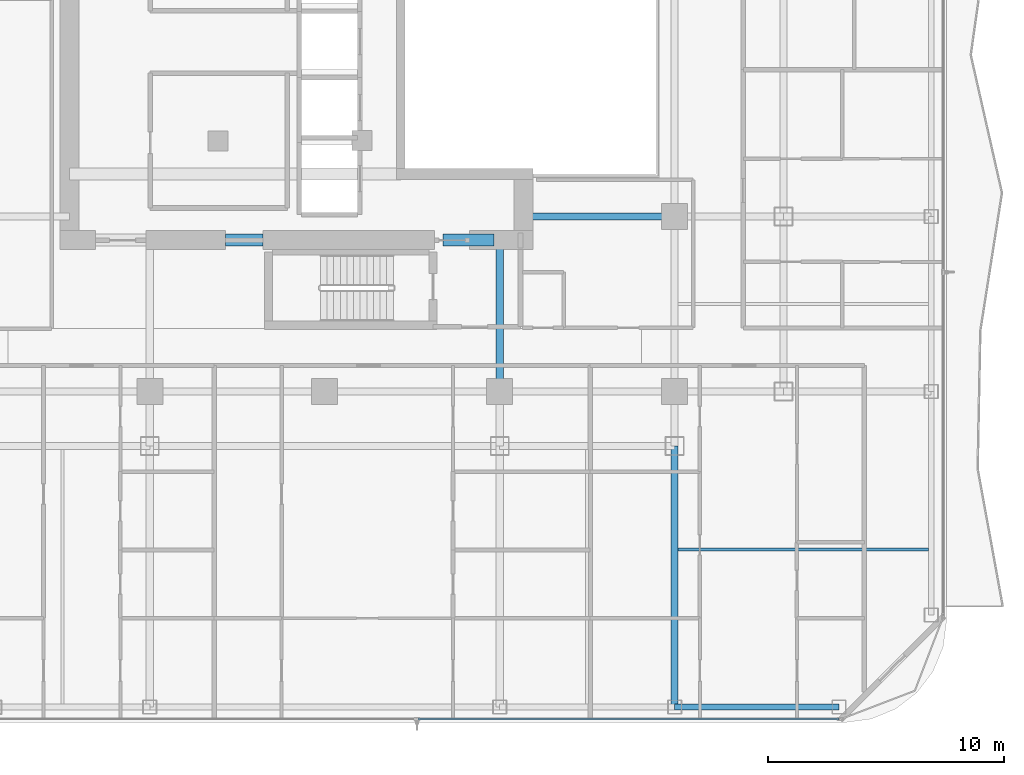
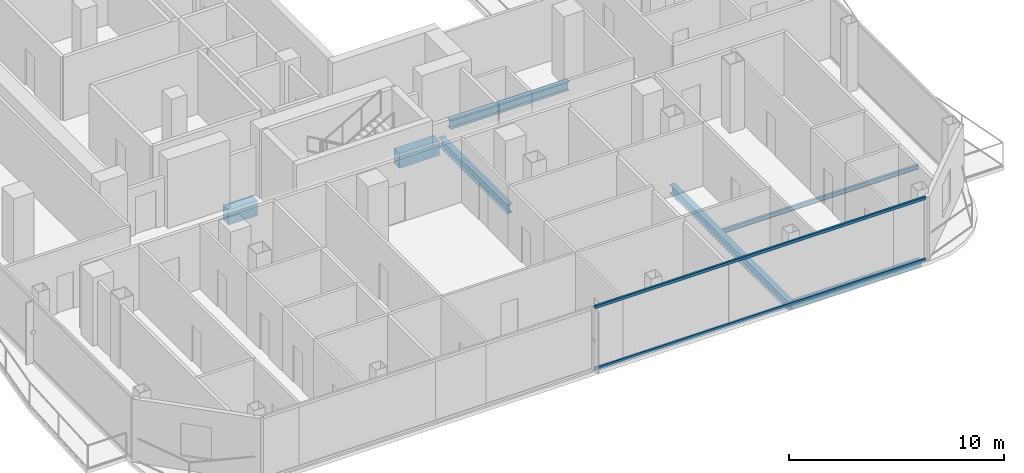
# One storey, part 9 of 27: 7 beams, 2 members, 1 element without a shape of its own.
"""IFC4 building model written with IfcOpenShell, lengths in metres."""

from ifc_helpers import new_model, si_unit, direction, frame, origin, origin_2d, place, context, subcontext, project, spatial, rectangle, hollow_rectangle, i_section, extrude, material, layer, layer_set, material_profile, profile_set, type_object, element, aggregate, save


model = new_model("IFC4")

# Units and contexts
model_context = context("Model", 3, precision=1e-05, world=origin(), true_north=direction((0.0, 1.0)))
body_context = subcontext(model_context, "Body", "Model", "MODEL_VIEW")
ifc_project = project(units=[si_unit("LENGTHUNIT", "METRE"), si_unit("AREAUNIT", "SQUARE_METRE"), si_unit("VOLUMEUNIT", "CUBIC_METRE"), si_unit("PLANEANGLEUNIT", "RADIAN"), si_unit("MASSUNIT", "GRAM", prefix="KILO")], contexts=[model_context])

# Site, building, storey
site_placement = place(None, origin())
site = spatial("IfcSite", under=ifc_project, at=site_placement, CompositionType="ELEMENT")
building_placement = place(site_placement, origin())
building = spatial("IfcBuilding", under=site, at=building_placement, Name="Khorvyn Point Tower", CompositionType="ELEMENT")
storey_placement = place(building_placement, frame((0.0, 0.0, 231.300048828125)))
storey = spatial("IfcBuildingStorey", under=building, at=storey_placement, Name="L57", CompositionType="ELEMENT", Elevation=231.300048828125)

# Curtain wall, members
ifc_material_1 = material(Name="Anodised aluminium 6063-T6 and laminated Low-E glass", Category="aluminium")
ifc_layer = layer(ifc_material_1, 0.18994140625)
ifc_layer_set = layer_set([ifc_layer], Name="Stick-Built Acoustic Curtain Wall CW-SYS-03")
curtain_wall_type = type_object("IfcCurtainWallType", Name="Stick-Built Acoustic Curtain Wall CW-SYS-03", PredefinedType="NOTDEFINED", material=ifc_layer_set)
curtain_wall_placement = place(storey_placement, origin())
curtain_wall = element("IfcCurtainWall", 1, at=curtain_wall_placement, inside=storey, type_object=curtain_wall_type, Name="Curtain Wall", PredefinedType="NOTDEFINED")
ifc_material_2 = material(Name="Anodised aluminium 6063-T6", Category="aluminium")
ifc_material_profile_1 = material_profile(ifc_material_2, hollow_rectangle(XDim=0.10009765625, YDim=0.159912109375, WallThickness=0.00439453125, at=origin_2d()))
ifc_profile_set_1 = profile_set([ifc_material_profile_1], Name="Anodised aluminium 6063-T6 ALU-TRN-100x160")
member_type = type_object("IfcMemberType", Name="Anodised Aluminium 6063-T6 Transom ALU-TRN-100x160", PredefinedType="USERDEFINED", material=ifc_profile_set_1)
member_1_placement = place(storey_placement, frame((21.75, -28.64990234375, 0.050048828125), z_axis=(-1.0, 0.0, 0.0), x_axis=(0.0, -1.0, 0.0)))
member_1 = element("IfcMember", 2, at=member_1_placement, type_object=member_type, Name="Transom", ObjectType="TRANSOM", PredefinedType="USERDEFINED", context=body_context, shape_type="SweptSolid", body=[
    extrude(hollow_rectangle(XDim=0.10009765625, YDim=0.159912109375, WallThickness=0.00439453125, at=origin_2d()), origin(), (0.0, 0.0, 1.0), 17.800048828125),
])
member_2_placement = place(storey_placement, frame((21.75, -28.64990234375, 3.550048828125), z_axis=(-1.0, 0.0, 0.0), x_axis=(0.0, -1.0, 0.0)))
member_2 = element("IfcMember", 3, at=member_2_placement, type_object=member_type, Name="Transom", ObjectType="TRANSOM", PredefinedType="USERDEFINED", context=body_context, shape_type="SweptSolid", body=[
    extrude(hollow_rectangle(XDim=0.10009765625, YDim=0.159912109375, WallThickness=0.00439453125, at=origin_2d()), origin(), (0.0, 0.0, 1.0), 17.800048828125),
])
aggregate(curtain_wall, [member_1, member_2])

# Beams
ifc_material_3 = material(Name="Concrete C45/55", Category="concrete")
ifc_material_profile_2 = material_profile(ifc_material_3, rectangle(XDim=0.5, YDim=0.85009765625, at=origin_2d()))
ifc_profile_set_2 = profile_set([ifc_material_profile_2], Name="Concrete C45/55 RC500x850")
beam_type_1 = type_object("IfcBeamType", Name="Concrete C45/55 Beam RC500x850", PredefinedType="BEAM", material=ifc_profile_set_2)
beam_1_placement = place(storey_placement, frame((-4.199951171875, -8.39990234375, -0.64501953125), z_axis=(1.0, 0.0, 0.0), x_axis=(0.0, 1.0, 0.0)))
element("IfcBeam", 4, at=beam_1_placement, inside=storey, type_object=beam_type_1, Name="L57 Core Shuttle Portal Coupling Beam", PredefinedType="BEAM", context=body_context, shape_type="SweptSolid", body=[
    extrude(rectangle(XDim=0.5, YDim=0.85009765625, at=origin_2d()), origin(), (0.0, 0.0, 1.0), 1.579833984375),
])
beam_2_placement = place(storey_placement, frame((5.0, -8.39990234375, -0.64501953125), z_axis=(1.0, 0.0, 0.0), x_axis=(0.0, 1.0, 0.0)))
element("IfcBeam", 5, at=beam_2_placement, inside=storey, type_object=beam_type_1, Name="L57 Core Southeast Portal Coupling Beam", PredefinedType="BEAM", context=body_context, shape_type="SweptSolid", body=[
    extrude(rectangle(XDim=0.5, YDim=0.85009765625, at=origin_2d()), origin(), (0.0, 0.0, 1.0), 2.14990234375),
])
ifc_material_4 = material(Name="Steel S355", Category="steel")
ifc_material_profile_3 = material_profile(ifc_material_4, i_section(OverallWidth=0.125, OverallDepth=0.25, WebThickness=0.006103515625, FlangeThickness=0.009033203125, at=origin_2d()))
ifc_profile_set_3 = profile_set([ifc_material_profile_3], Name="Steel S355 H250x125x6x9")
beam_type_2 = type_object("IfcBeamType", Name="Steel S355 Joist H250x125x6x9", PredefinedType="JOIST", material=ifc_profile_set_3)
beam_3_placement = place(storey_placement, frame((14.949951171875, -21.47509765625, -0.344970703125), z_axis=(1.0, 0.0, 0.0), x_axis=(0.0, 1.0, 0.0)))
element("IfcBeam", 6, at=beam_3_placement, inside=storey, type_object=beam_type_2, Name="Beam", PredefinedType="JOIST", context=body_context, shape_type="SweptSolid", body=[
    extrude(i_section(OverallWidth=0.125, OverallDepth=0.25, WebThickness=0.006103515625, FlangeThickness=0.009033203125, at=origin_2d()), origin(), (0.0, 0.0, 1.0), 10.574951171875),
])
ifc_material_profile_4 = material_profile(ifc_material_4, i_section(OverallWidth=0.300048828125, OverallDepth=0.488037109375, WebThickness=0.010986328125, FlangeThickness=0.01806640625, at=origin_2d()))
ifc_profile_set_4 = profile_set([ifc_material_profile_4], Name="Steel S355 H488x300x11x18")
beam_type_3 = type_object("IfcBeamType", Name="Steel S355 Spandrel H488x300x11x18", PredefinedType="SPANDREL", material=ifc_profile_set_4)
beam_4_placement = place(storey_placement, frame((8.39990234375, -7.39990234375, -0.464111328125), z_axis=(1.0, 0.0, 0.0), x_axis=(0.0, 1.0, 0.0)))
element("IfcBeam", 7, at=beam_4_placement, inside=storey, type_object=beam_type_3, Name="Beam", PredefinedType="SPANDREL", context=body_context, shape_type="SweptSolid", body=[
    extrude(i_section(OverallWidth=0.300048828125, OverallDepth=0.488037109375, WebThickness=0.010986328125, FlangeThickness=0.01806640625, at=origin_2d()), origin(), (0.0, 0.0, 1.0), 6.400146484375),
])
beam_5_placement = place(storey_placement, frame((14.800048828125, -28.14990234375, -0.464111328125), z_axis=(0.0, 1.0, 0.0), x_axis=(-1.0, 0.0, 0.0)))
element("IfcBeam", 8, at=beam_5_placement, inside=storey, type_object=beam_type_3, Name="Beam", PredefinedType="SPANDREL", context=body_context, shape_type="SweptSolid", body=[
    extrude(i_section(OverallWidth=0.300048828125, OverallDepth=0.488037109375, WebThickness=0.010986328125, FlangeThickness=0.01806640625, at=origin_2d()), origin(), (0.0, 0.0, 1.0), 11.0498046875),
])
beam_6_placement = place(storey_placement, frame((7.39990234375, -14.800048828125, -0.464111328125), z_axis=(0.0, 1.0, 0.0), x_axis=(-1.0, 0.0, 0.0)))
element("IfcBeam", 9, at=beam_6_placement, inside=storey, type_object=beam_type_3, Name="Beam", PredefinedType="SPANDREL", context=body_context, shape_type="SweptSolid", body=[
    extrude(i_section(OverallWidth=0.300048828125, OverallDepth=0.488037109375, WebThickness=0.010986328125, FlangeThickness=0.01806640625, at=origin_2d()), origin(), (0.0, 0.0, 1.0), 6.400146484375),
])
ifc_material_profile_5 = material_profile(ifc_material_4, hollow_rectangle(XDim=0.25, YDim=0.39990234375, WallThickness=0.01611328125, at=origin_2d()))
ifc_profile_set_5 = profile_set([ifc_material_profile_5], Name="Steel S355 RHS400x250x16")
beam_type_4 = type_object("IfcBeamType", Name="Steel S355 Spandrel RHS400x250x16", PredefinedType="SPANDREL", material=ifc_profile_set_5)
beam_7_placement = place(storey_placement, frame((14.800048828125, -28.14990234375, -0.420166015625), z_axis=(1.0, 0.0, 0.0), x_axis=(0.0, 1.0, 0.0)))
element("IfcBeam", 10, at=beam_7_placement, inside=storey, type_object=beam_type_4, Name="Beam", PredefinedType="SPANDREL", context=body_context, shape_type="SweptSolid", body=[
    extrude(hollow_rectangle(XDim=0.25, YDim=0.39990234375, WallThickness=0.01611328125, at=origin_2d()), origin(), (0.0, 0.0, 1.0), 6.949951171875),
])

save(model, "model.ifc")
